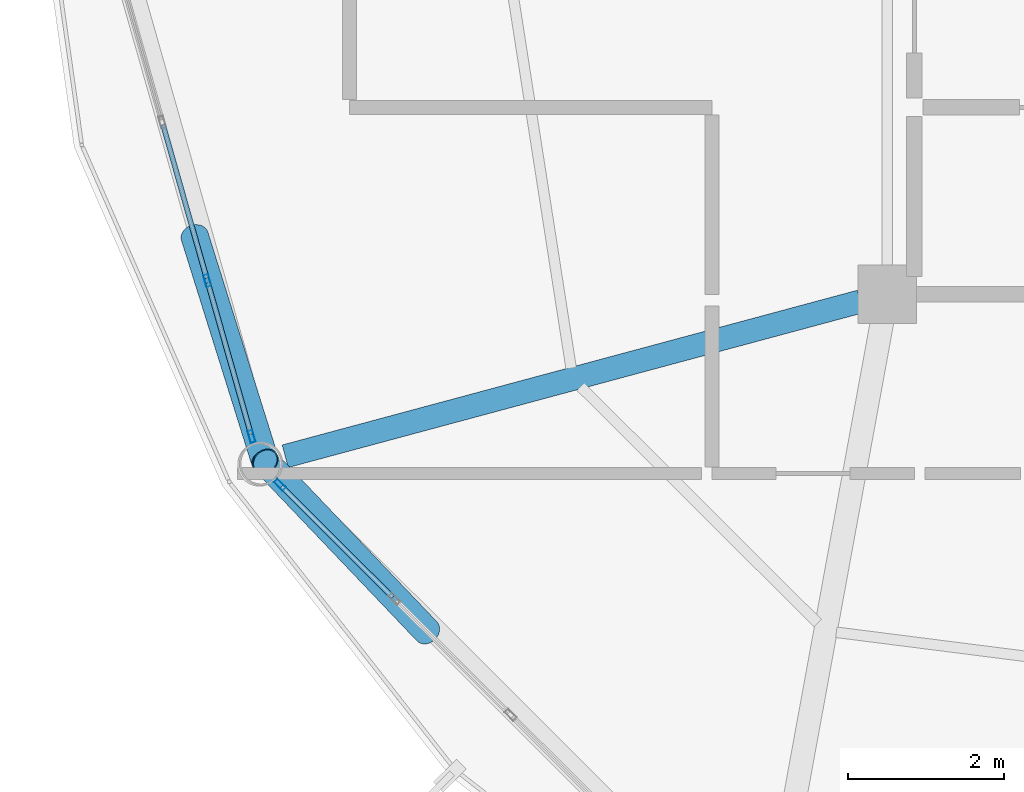
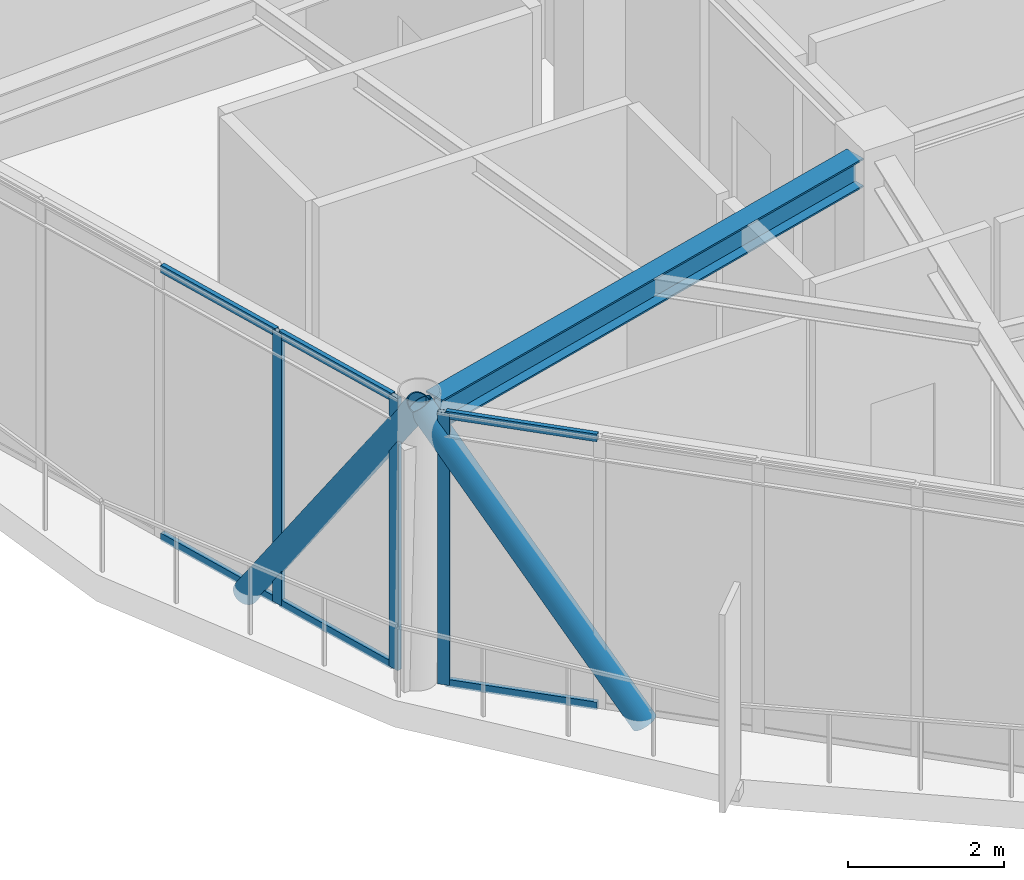
# One storey, part 4 of 26: 11 members, 1 beam, 2 elements without a shape of their own.
"""IFC4 building model written with IfcOpenShell, lengths in metres."""

from ifc_helpers import new_model, si_unit, direction, frame, origin, origin_2d, place, context, subcontext, project, spatial, hollow_rectangle, hollow_circle, i_section, extrude, material, layer, layer_set, material_profile, profile_set, type_object, element, aggregate, save


model = new_model("IFC4")

# Units and contexts
model_context = context("Model", 3, precision=1e-05, world=origin(), true_north=direction((0.0, 1.0)))
body_context = subcontext(model_context, "Body", "Model", "MODEL_VIEW")
ifc_project = project(units=[si_unit("LENGTHUNIT", "METRE"), si_unit("AREAUNIT", "SQUARE_METRE"), si_unit("VOLUMEUNIT", "CUBIC_METRE"), si_unit("PLANEANGLEUNIT", "RADIAN"), si_unit("MASSUNIT", "GRAM", prefix="KILO")], contexts=[model_context])

# Site, building, storey
site_placement = place(None, origin())
site = spatial("IfcSite", under=ifc_project, at=site_placement, CompositionType="ELEMENT")
building_placement = place(site_placement, origin())
building = spatial("IfcBuilding", under=site, at=building_placement, Name="Varnakorn Sky Granary", CompositionType="ELEMENT")
storey_placement = place(building_placement, frame((0.0, 0.0, 289.5)))
storey = spatial("IfcBuildingStorey", under=building, at=storey_placement, Name="L74", CompositionType="ELEMENT", Elevation=289.5)

# Beam
ifc_material_1 = material(Name="Steel S355JR", Category="steel")
ifc_material_profile_1 = material_profile(ifc_material_1, i_section(OverallWidth=0.300048828125, OverallDepth=0.449951171875, WebThickness=0.013916015625, FlangeThickness=0.02587890625, at=origin_2d()), Name="HE 450 B")
ifc_profile_set_1 = profile_set([ifc_material_profile_1], Name="Steel S355JR")
beam_type = type_object("IfcBeamType", Name="BM-RAD-Z5", PredefinedType="BEAM", material=ifc_profile_set_1)
beam_placement = place(storey_placement, frame((-2.69287109375, -6.692138671875, 4.034912109375), z_axis=(-0.965663843373, -0.259794806728, 0.0), x_axis=(0.259794806728, -0.965663843373, 0.0)))
element("IfcBeam", 1, at=beam_placement, inside=storey, type_object=beam_type, Name="Radial Floor Girder RG08 L74", PredefinedType="BEAM", context=body_context, shape_type="SweptSolid", body=[
    extrude(i_section(OverallWidth=0.300048828125, OverallDepth=0.449951171875, WebThickness=0.013916015625, FlangeThickness=0.02587890625, at=origin_2d()), origin(), (0.0, 0.0, 1.0), 7.644775390625),
])

# Curtain wall, members
ifc_material_2 = material(Name="Anodised Bronze Aluminium Alloy 6063-T6", Category="aluminium")
ifc_layer = layer(ifc_material_2, 0.159912109375, Name="Anodised Bronze Aluminium Alloy 6063-T6")
ifc_layer_set = layer_set([ifc_layer], Name="Anodised Bronze Aluminium Alloy 6063-T6")
curtain_wall_type = type_object("IfcCurtainWallType", Name="CW-OFF-1", PredefinedType="USERDEFINED", material=ifc_layer_set)
curtain_wall_1_placement = place(storey_placement, origin())
curtain_wall_1 = element("IfcCurtainWall", 2, at=curtain_wall_1_placement, inside=storey, type_object=curtain_wall_type, Name="Unitised Curtain Wall CW6 CW-L74-B07", ObjectType="CURTAIN WALL", PredefinedType="USERDEFINED")
ifc_material_profile_2 = material_profile(ifc_material_2, hollow_rectangle(XDim=0.06494140625, YDim=0.159912109375, WallThickness=0.00341796875, at=origin_2d()), Name="ALU MULL 65x160")
ifc_profile_set_2 = profile_set([ifc_material_profile_2], Name="Anodised Bronze Aluminium Alloy 6063-T6")
member_type_1 = type_object("IfcMemberType", Name="CW-OFF-1-MULL", PredefinedType="MULLION", material=ifc_profile_set_2)
member_1_placement = place(storey_placement, frame((-10.506591796875, -8.424560546875, 0.0), z_axis=(0.0, 0.0, 1.0), x_axis=(-0.961937230884, -0.273270495734, 0.0)))
member_1 = element("IfcMember", 3, at=member_1_placement, type_object=member_type_1, Name="CW6 mullion 1", PredefinedType="MULLION", context=body_context, shape_type="SweptSolid", body=[
    extrude(hollow_rectangle(XDim=0.06494140625, YDim=0.159912109375, WallThickness=0.00341796875, at=origin_2d()), origin(), (0.0, 0.0, 1.0), 4.260009765625),
])
member_2_placement = place(storey_placement, frame((-11.0751953125, -6.423583984375, 0.0), z_axis=(0.0, 0.0, 1.0), x_axis=(-0.961937230884, -0.273270495734, 0.0)))
member_2 = element("IfcMember", 4, at=member_2_placement, type_object=member_type_1, Name="CW6 mullion 2", PredefinedType="MULLION", context=body_context, shape_type="SweptSolid", body=[
    extrude(hollow_rectangle(XDim=0.06494140625, YDim=0.159912109375, WallThickness=0.00341796875, at=origin_2d()), origin(), (0.0, 0.0, 1.0), 4.260009765625),
])

# Curtain wall, member
curtain_wall_2_placement = place(storey_placement, origin())
curtain_wall_2 = element("IfcCurtainWall", 5, at=curtain_wall_2_placement, inside=storey, type_object=curtain_wall_type, Name="Unitised Curtain Wall CW6 CW-L74-B08", ObjectType="CURTAIN WALL", PredefinedType="USERDEFINED")
member_3_placement = place(storey_placement, frame((-10.1416015625, -9.045166015625, 0.0), z_axis=(0.0, 0.0, 1.0), x_axis=(-0.706103251086, -0.708108889088, 0.0)))
member_3 = element("IfcMember", 6, at=member_3_placement, type_object=member_type_1, Name="CW6 mullion 5", PredefinedType="MULLION", context=body_context, shape_type="SweptSolid", body=[
    extrude(hollow_rectangle(XDim=0.06494140625, YDim=0.159912109375, WallThickness=0.00341796875, at=origin_2d()), origin(), (0.0, 0.0, 1.0), 4.260009765625),
])

# Member
ifc_material_profile_3 = material_profile(ifc_material_2, hollow_rectangle(XDim=0.06494140625, YDim=0.1201171875, WallThickness=0.00341796875, at=origin_2d()), Name="ALU TRAN 65x120")
ifc_profile_set_3 = profile_set([ifc_material_profile_3], Name="Anodised Bronze Aluminium Alloy 6063-T6")
member_type_2 = type_object("IfcMemberType", Name="CW-OFF-1-TRAN", PredefinedType="USERDEFINED", material=ifc_profile_set_3)
member_4_placement = place(storey_placement, frame((-10.515625, -8.393310546875, 0.032470703125), z_axis=(-0.273200653755, 0.961957069098, 0.0), x_axis=(-0.961957069098, -0.273200653755, 0.0)))
member_4 = element("IfcMember", 7, at=member_4_placement, type_object=member_type_2, Name="CW6 transom 1.1", ObjectType="TRANSOM", PredefinedType="USERDEFINED", context=body_context, shape_type="SweptSolid", body=[
    extrude(hollow_rectangle(XDim=0.06494140625, YDim=0.1201171875, WallThickness=0.00341796875, at=origin_2d()), origin(), (0.0, 0.0, 1.0), 2.01513671875),
])

member_5_placement = place(storey_placement, frame((-10.515625, -8.393310546875, 4.2275390625), z_axis=(-0.273200653755, 0.961957069098, 0.0), x_axis=(-0.961957069098, -0.273200653755, 0.0)))
member_5 = element("IfcMember", 8, at=member_5_placement, type_object=member_type_2, Name="CW6 transom 1.2", ObjectType="TRANSOM", PredefinedType="USERDEFINED", context=body_context, shape_type="SweptSolid", body=[
    extrude(hollow_rectangle(XDim=0.06494140625, YDim=0.1201171875, WallThickness=0.00341796875, at=origin_2d()), origin(), (0.0, 0.0, 1.0), 2.01513671875),
])

member_6_placement = place(storey_placement, frame((-11.083984375, -6.392333984375, 0.032470703125), z_axis=(-0.273272075435, 0.961936782116, 0.0), x_axis=(-0.961936782116, -0.273272075435, 0.0)))
member_6 = element("IfcMember", 9, at=member_6_placement, type_object=member_type_2, Name="CW6 transom 2.1", ObjectType="TRANSOM", PredefinedType="USERDEFINED", context=body_context, shape_type="SweptSolid", body=[
    extrude(hollow_rectangle(XDim=0.06494140625, YDim=0.1201171875, WallThickness=0.00341796875, at=origin_2d()), origin(), (0.0, 0.0, 1.0), 2.047607421875),
])

member_7_placement = place(storey_placement, frame((-11.083984375, -6.392333984375, 4.2275390625), z_axis=(-0.273272075435, 0.961936782116, 0.0), x_axis=(-0.961936782116, -0.273272075435, 0.0)))
member_7 = element("IfcMember", 10, at=member_7_placement, type_object=member_type_2, Name="CW6 transom 2.2", ObjectType="TRANSOM", PredefinedType="USERDEFINED", context=body_context, shape_type="SweptSolid", body=[
    extrude(hollow_rectangle(XDim=0.06494140625, YDim=0.1201171875, WallThickness=0.00341796875, at=origin_2d()), origin(), (0.0, 0.0, 1.0), 2.047607421875),
])

aggregate(curtain_wall_1, [member_1, member_2, member_4, member_5, member_6, member_7])

member_8_placement = place(storey_placement, frame((-8.696044921875, -10.48681640625, 0.032470703125), z_axis=(-0.708078247137, 0.70613397874, 0.0), x_axis=(-0.70613397874, -0.708078247137, 0.0)))
member_8 = element("IfcMember", 11, at=member_8_placement, type_object=member_type_2, Name="CW6 transom 4.1", ObjectType="TRANSOM", PredefinedType="USERDEFINED", context=body_context, shape_type="SweptSolid", body=[
    extrude(hollow_rectangle(XDim=0.06494140625, YDim=0.1201171875, WallThickness=0.00341796875, at=origin_2d()), origin(), (0.0, 0.0, 1.0), 2.009033203125),
])

member_9_placement = place(storey_placement, frame((-8.696044921875, -10.48681640625, 4.2275390625), z_axis=(-0.708078247137, 0.70613397874, 0.0), x_axis=(-0.70613397874, -0.708078247137, 0.0)))
member_9 = element("IfcMember", 12, at=member_9_placement, type_object=member_type_2, Name="CW6 transom 4.2", ObjectType="TRANSOM", PredefinedType="USERDEFINED", context=body_context, shape_type="SweptSolid", body=[
    extrude(hollow_rectangle(XDim=0.06494140625, YDim=0.1201171875, WallThickness=0.00341796875, at=origin_2d()), origin(), (0.0, 0.0, 1.0), 2.009033203125),
])

aggregate(curtain_wall_2, [member_3, member_8, member_9])

# Members
ifc_material_3 = material(Name="Steel S460M", Category="steel")
ifc_material_profile_4 = material_profile(ifc_material_3, hollow_circle(Radius=0.177734375, WallThickness=0.01416015625, at=origin_2d()), Name="CHS 355.6x14")
ifc_profile_set_4 = profile_set([ifc_material_profile_4], Name="Steel S460M")
member_type_3 = type_object("IfcMemberType", Name="MB-DIAG-T5", PredefinedType="BRACE", material=ifc_profile_set_4)
member_10_placement = place(storey_placement, frame((-11.23681640625, -5.85498046875, -0.1298828125), z_axis=(0.169885490828, -0.54215073393, 0.822928612764), x_axis=(0.954247485718, 0.299017952641, 0.0)))
element("IfcMember", 13, at=member_10_placement, inside=storey, type_object=member_type_3, Name="Perimeter CHS Diagrid Brace DG07 L74", PredefinedType="BRACE", context=body_context, shape_type="SweptSolid", body=[
    extrude(hollow_circle(Radius=0.177734375, WallThickness=0.01416015625, at=origin_2d()), origin(), (0.0, 0.0, 1.0), 5.33447265625),
])
member_11_placement = place(storey_placement, frame((-8.255859375, -10.925537109375, -0.1298828125), z_axis=(-0.389852489248, 0.409349701289, 0.824892634639), x_axis=(-0.724141790929, -0.689651119502, 0.0)))
element("IfcMember", 14, at=member_11_placement, inside=storey, type_object=member_type_3, Name="Perimeter CHS Diagrid Brace DG08 L74", PredefinedType="BRACE", context=body_context, shape_type="SweptSolid", body=[
    extrude(hollow_circle(Radius=0.177734375, WallThickness=0.01416015625, at=origin_2d()), origin(), (0.0, 0.0, 1.0), 5.32177734375),
])

save(model, "model.ifc")
